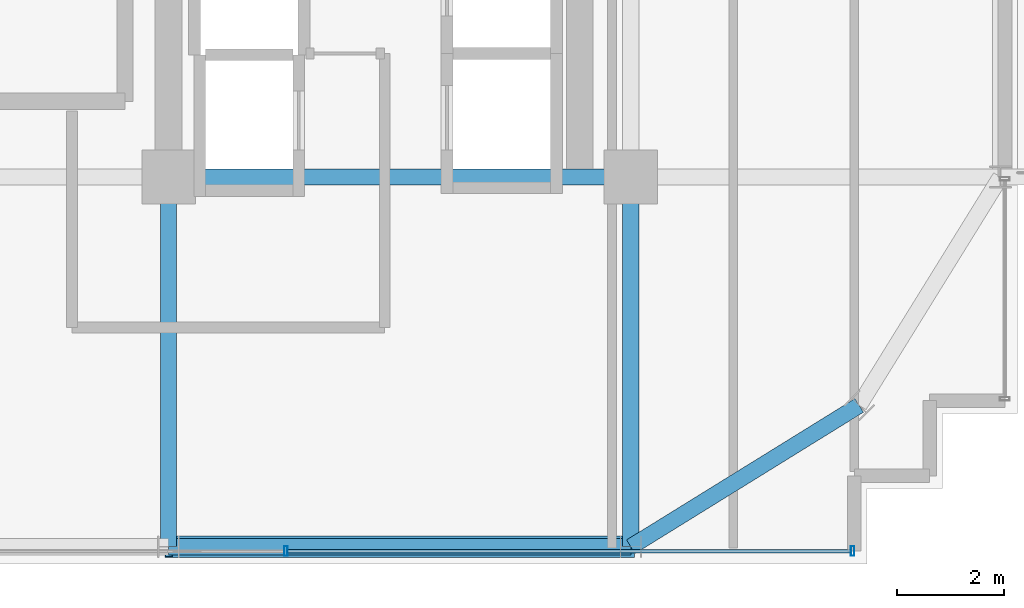
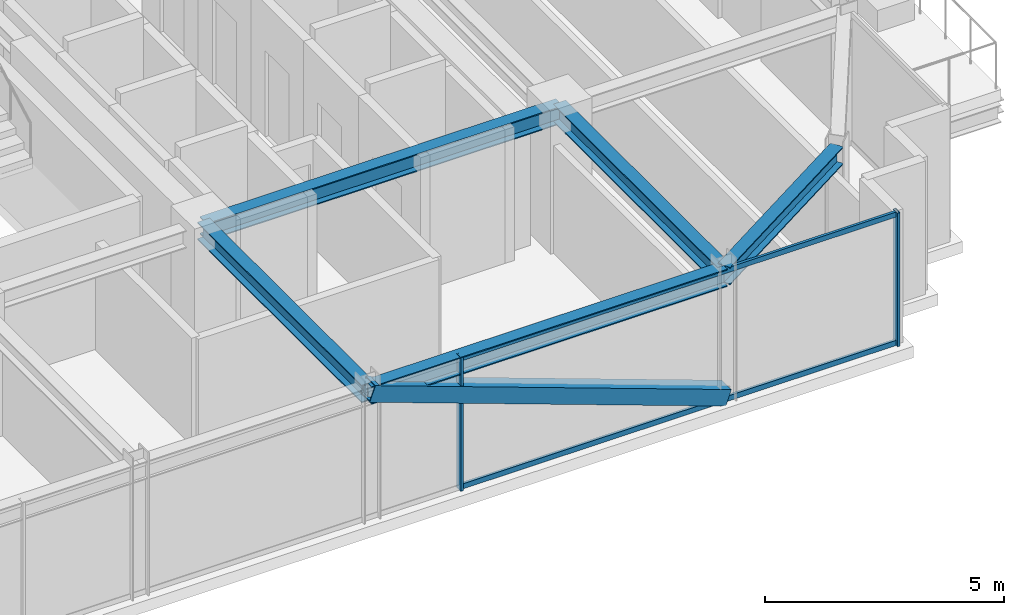
# One storey, part 12 of 36: 5 beams, 5 members, 1 element without a shape of its own.
"""IFC4 building model written with IfcOpenShell, lengths in metres."""

from ifc_helpers import new_model, si_unit, direction, frame, origin, origin_2d, place, context, subcontext, project, spatial, hollow_rectangle, i_section, extrude, source, transform, mapped, material, material_profile, profile_set, type_object, element, aggregate, save


model = new_model("IFC4")

# Units and contexts
model_context = context("Model", 3, precision=1e-05, world=origin(), true_north=direction((0.0, 1.0)))
body_context = subcontext(model_context, "Body", "Model", "MODEL_VIEW")
ifc_project = project(units=[si_unit("LENGTHUNIT", "METRE"), si_unit("AREAUNIT", "SQUARE_METRE"), si_unit("VOLUMEUNIT", "CUBIC_METRE"), si_unit("PLANEANGLEUNIT", "RADIAN"), si_unit("MASSUNIT", "GRAM", prefix="KILO")], contexts=[model_context])

# Site, building, storey
site_placement = place(None, origin())
site = spatial("IfcSite", under=ifc_project, at=site_placement, CompositionType="ELEMENT")
building_placement = place(site_placement, origin())
building = spatial("IfcBuilding", under=site, at=building_placement, Name="Nahalor Promenade Grand Hotel", CompositionType="ELEMENT")
storey_placement = place(building_placement, frame((0.0, 0.0, 219.699951171875)))
storey = spatial("IfcBuildingStorey", under=building, at=storey_placement, Name="L56", CompositionType="ELEMENT", Elevation=219.699951171875)

# Beams
ifc_material_1 = material(Name="Steel S355JR", Category="steel")
ifc_material_profile_1 = material_profile(ifc_material_1, i_section(OverallWidth=0.3, OverallDepth=0.45, WebThickness=0.014, FlangeThickness=0.026, at=origin_2d()), Name="HEB 450")
ifc_profile_set_1 = profile_set([ifc_material_profile_1], Name="Steel S355JR")
beam_type_1 = type_object("IfcBeamType", Name="Beam-Spandrel-HEB450", PredefinedType="SPANDREL", material=ifc_profile_set_1)
shared_shape_1 = source(origin(), body_context, "Body", "SweptSolid", [
    extrude(i_section(OverallWidth=0.3, OverallDepth=0.45, WebThickness=0.014, FlangeThickness=0.026, at=origin_2d()), origin(), (0.0, 0.0, 1.0), 8.60009765625),
])
beam_1_placement = place(storey_placement, frame((8.39990234375, -23.8798828125, 3.18505859375), z_axis=(1.0, 0.0, 0.0), x_axis=(0.0, 1.0, 0.0)))
element("IfcBeam", 1, at=beam_1_placement, inside=storey, type_object=beam_type_1, Name="BM-L56-SP-S-4", PredefinedType="SPANDREL", context=body_context, shape_type="MappedRepresentation", body=[
    mapped(shared_shape_1, transform((0.0, 0.0, 0.0), scale=1.0)),
])
shared_shape_2 = source(origin(), body_context, "Body", "SweptSolid", [
    extrude(i_section(OverallWidth=0.3, OverallDepth=0.45, WebThickness=0.014, FlangeThickness=0.026, at=origin_2d()), origin(), (0.0, 0.0, 1.0), 4.997802734375),
])
beam_2_placement = place(storey_placement, frame((17.0, -23.8798828125, 3.18505859375), z_axis=(0.850360908404, 0.526199891161, 0.0), x_axis=(-0.526199891161, 0.850360908404, 0.0)))
element("IfcBeam", 2, at=beam_2_placement, inside=storey, type_object=beam_type_1, Name="BM-L56-SPC-SE-1", PredefinedType="SPANDREL", context=body_context, shape_type="MappedRepresentation", body=[
    mapped(shared_shape_2, transform((0.0, 0.0, 0.0), scale=1.0)),
])
ifc_material_profile_2 = material_profile(ifc_material_1, i_section(OverallWidth=0.3, OverallDepth=0.45, WebThickness=0.014, FlangeThickness=0.026, at=origin_2d()), Name="HEB 450")
ifc_profile_set_2 = profile_set([ifc_material_profile_2], Name="Steel S355JR")
beam_type_2 = type_object("IfcBeamType", Name="Beam-Girder-HEB450", PredefinedType="BEAM", material=ifc_profile_set_2)
shared_shape_3 = source(origin(), body_context, "Body", "SweptSolid", [
    extrude(i_section(OverallWidth=0.3, OverallDepth=0.45, WebThickness=0.014, FlangeThickness=0.026, at=origin_2d()), origin(), (0.0, 0.0, 1.0), 6.8798828125),
])
for number, where, z_axis, x_axis, name in (
    (3, (8.39990234375, -23.8798828125, 3.18505859375), (0.0, 1.0, 0.0), (-1.0, 0.0, 0.0), "BM-L56-GY-4-0"),
    (4, (17.0, -23.8798828125, 3.18505859375), (0.0, 1.0, 0.0), (-1.0, 0.0, 0.0), "BM-L56-GY-5-0"),
):
    element("IfcBeam", number, at=place(storey_placement, frame(where, z_axis=z_axis, x_axis=x_axis)), inside=storey, type_object=beam_type_2, Name=name, PredefinedType="BEAM", context=body_context, shape_type="MappedRepresentation", body=[
        mapped(shared_shape_3, transform((0.0, 0.0, 0.0), scale=1.0)),
    ])
shared_shape_4 = source(origin(), body_context, "Body", "SweptSolid", [
    extrude(i_section(OverallWidth=0.3, OverallDepth=0.45, WebThickness=0.014, FlangeThickness=0.026, at=origin_2d()), origin(), (0.0, 0.0, 1.0), 8.60009765625),
])
beam_3_placement = place(storey_placement, frame((8.39990234375, -17.0, 3.18505859375), z_axis=(1.0, 0.0, 0.0), x_axis=(0.0, 1.0, 0.0)))
element("IfcBeam", 5, at=beam_3_placement, inside=storey, type_object=beam_type_2, Name="BM-L56-GX-0-5", PredefinedType="BEAM", context=body_context, shape_type="MappedRepresentation", body=[
    mapped(shared_shape_4, transform((0.0, 0.0, 0.0), scale=1.0)),
])

# Member
ifc_material_profile_3 = material_profile(ifc_material_1, hollow_rectangle(XDim=0.4, YDim=0.4, WallThickness=0.022, at=origin_2d()), Name="SHS 400x400x22")
ifc_profile_set_3 = profile_set([ifc_material_profile_3], Name="Steel S355JR")
member_type_1 = type_object("IfcMemberType", Name="Mem-ExoBrace-SHS400", PredefinedType="BRACE", material=ifc_profile_set_3)
shared_shape_5 = source(origin(), body_context, "Body", "SweptSolid", [
    extrude(hollow_rectangle(XDim=0.4, YDim=0.4, WallThickness=0.022, at=origin_2d()), origin(), (0.0, 0.0, 1.0), 9.14501953125),
])
member_1_placement = place(storey_placement, frame((17.0, -23.8798828125, 0.150146484375), z_axis=(-0.940404564616, 0.0, 0.340057722821), x_axis=(0.0, -1.0, 0.0)))
element("IfcMember", 6, at=member_1_placement, inside=storey, type_object=member_type_1, Name="EXO-L56-S-1", PredefinedType="BRACE", context=body_context, shape_type="MappedRepresentation", body=[
    mapped(shared_shape_5, transform((0.0, 0.0, 0.0), scale=1.0)),
])

# Curtain wall, members
ifc_material_2 = material(Name="Anodised Bronze Aluminium EN AW-6063 T6", Category="aluminium")
curtain_wall_type = type_object("IfcCurtainWallType", Name="CW2 Typical Hotel Flush Bronze Unitised Curtain Wall", PredefinedType="USERDEFINED", material=ifc_material_2)
curtain_wall_placement = place(storey_placement, origin())
curtain_wall = element("IfcCurtainWall", 7, at=curtain_wall_placement, inside=storey, type_object=curtain_wall_type, Name="L56 Curtain Wall CW-L56-S-1", ObjectType="UNITISED_CURTAIN_WALL", PredefinedType="USERDEFINED")
ifc_material_profile_4 = material_profile(ifc_material_2, hollow_rectangle(XDim=0.065, YDim=0.18, WallThickness=0.004, at=origin_2d()), Name="CWM 65x180x4")
ifc_profile_set_4 = profile_set([ifc_material_profile_4], Name="Anodised Bronze Aluminium EN AW-6063 T6")
member_type_2 = type_object("IfcMemberType", Name="CWM2 Typical Bronze Mullion 65x180", PredefinedType="MULLION", material=ifc_profile_set_4)
shared_shape_6 = source(origin(), body_context, "Body", "SweptSolid", [
    extrude(hollow_rectangle(XDim=0.065, YDim=0.18, WallThickness=0.004, at=origin_2d()), origin(), (0.0, 0.0, 1.0), 3.41015625),
])
member_2_placement = place(storey_placement, frame((10.580078125, -23.9599609375, 0.0), z_axis=(0.0, 0.0, 1.0), x_axis=(1.0, 0.0, 0.0)))
member_2 = element("IfcMember", 8, at=member_2_placement, type_object=member_type_2, Name="CW-L56-S-1 Mullion 3", PredefinedType="MULLION", context=body_context, shape_type="MappedRepresentation", body=[
    mapped(shared_shape_6, transform((0.0, 0.0, 0.0), scale=1.0)),
])
member_3_placement = place(storey_placement, frame((21.12744140625, -23.9599609375, 0.0), z_axis=(0.0, 0.0, 1.0), x_axis=(1.0, 0.0, 0.0)))
member_3 = element("IfcMember", 9, at=member_3_placement, type_object=member_type_2, Name="CW-L56-S-1 Mullion 4", PredefinedType="MULLION", context=body_context, shape_type="MappedRepresentation", body=[
    mapped(shared_shape_6, transform((0.0, 0.0, 0.0), scale=1.0)),
])
ifc_material_profile_5 = material_profile(ifc_material_2, hollow_rectangle(XDim=0.065, YDim=0.13, WallThickness=0.004, at=origin_2d()), Name="CWT 65x130x4")
ifc_profile_set_5 = profile_set([ifc_material_profile_5], Name="Anodised Bronze Aluminium EN AW-6063 T6")
member_type_3 = type_object("IfcMemberType", Name="CWT2 Typical Bronze Transom 65x130", PredefinedType="USERDEFINED", material=ifc_profile_set_5)
shared_shape_7 = source(origin(), body_context, "Body", "SweptSolid", [
    extrude(hollow_rectangle(XDim=0.065, YDim=0.13, WallThickness=0.004, at=origin_2d()), origin(), (0.0, 0.0, 1.0), 10.482421875),
])
member_4_placement = place(storey_placement, frame((10.612548828125, -23.9599609375, 0.06494140625), z_axis=(1.0, 0.0, 0.0), x_axis=(0.0, 1.0, 0.0)))
member_4 = element("IfcMember", 10, at=member_4_placement, type_object=member_type_3, Name="CW-L56-S-1 Transom 3-0", ObjectType="TRANSOM", PredefinedType="USERDEFINED", context=body_context, shape_type="MappedRepresentation", body=[
    mapped(shared_shape_7, transform((0.0, 0.0, 0.0), scale=1.0)),
])
member_5_placement = place(storey_placement, frame((10.612548828125, -23.9599609375, 3.344970703125), z_axis=(1.0, 0.0, 0.0), x_axis=(0.0, 1.0, 0.0)))
member_5 = element("IfcMember", 11, at=member_5_placement, type_object=member_type_3, Name="CW-L56-S-1 Transom 3-1", ObjectType="TRANSOM", PredefinedType="USERDEFINED", context=body_context, shape_type="MappedRepresentation", body=[
    mapped(shared_shape_7, transform((0.0, 0.0, 0.0), scale=1.0)),
])
aggregate(curtain_wall, [member_2, member_3, member_4, member_5])

save(model, "model.ifc")
